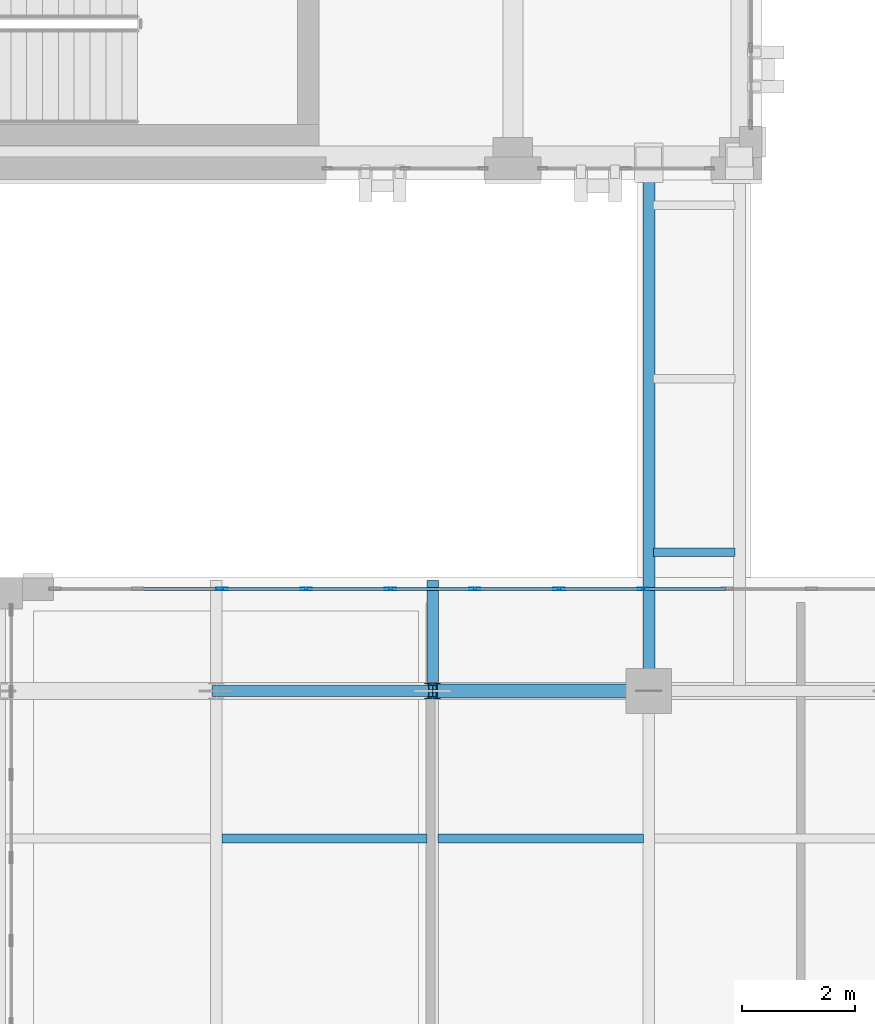
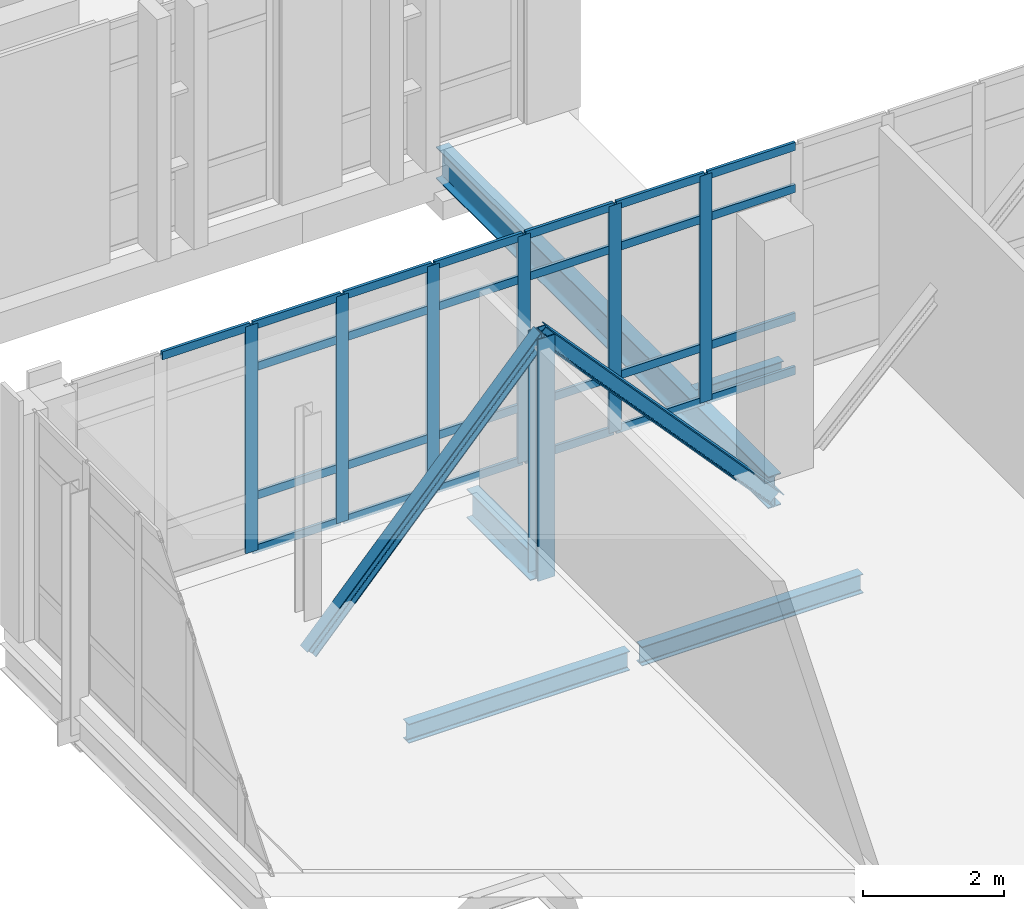
# One storey, part 10 of 158: 34 members, 5 beams, 1 element without a shape of its own.
"""IFC4 building model written with IfcOpenShell, lengths in metres."""

from ifc_helpers import new_model, si_unit, direction, frame, origin, origin_2d, place, context, subcontext, project, spatial, hollow_rectangle, i_section, extrude, material, layer, layer_set, material_profile, profile_set, type_object, element, aggregate, save


model = new_model("IFC4")

# Units and contexts
model_context = context("Model", 3, precision=1e-05, world=origin(), true_north=direction((0.0, 1.0)))
body_context = subcontext(model_context, "Body", "Model", "MODEL_VIEW")
ifc_project = project(units=[si_unit("LENGTHUNIT", "METRE"), si_unit("AREAUNIT", "SQUARE_METRE"), si_unit("VOLUMEUNIT", "CUBIC_METRE"), si_unit("PLANEANGLEUNIT", "RADIAN"), si_unit("MASSUNIT", "GRAM", prefix="KILO")], contexts=[model_context])

# Site, building, storey
site_placement = place(None, origin())
site = spatial("IfcSite", under=ifc_project, at=site_placement, CompositionType="ELEMENT")
building_placement = place(site_placement, origin())
building = spatial("IfcBuilding", under=site, at=building_placement, Name="Qalavern Law Courts", CompositionType="ELEMENT")
storey_placement = place(building_placement, frame((0.0, 0.0, 18.60009765625)))
storey = spatial("IfcBuildingStorey", under=building, at=storey_placement, Name="L04", CompositionType="ELEMENT", Elevation=18.60009765625)

# Curtain wall, members
ifc_material_1 = material(Name="Anodised aluminium and insulated glazing", Category="aluminium")
ifc_layer = layer(ifc_material_1, 0.199951171875)
ifc_layer_set = layer_set([ifc_layer], Name="Anodised aluminium and insulated glazing")
curtain_wall_type = type_object("IfcCurtainWallType", Name="ENV-CW-FOYER", PredefinedType="USERDEFINED", material=ifc_layer_set)
curtain_wall_placement = place(storey_placement, origin())
curtain_wall = element("IfcCurtainWall", 1, at=curtain_wall_placement, inside=storey, type_object=curtain_wall_type, Name="V1 unitised curtain wall L04 north 1", ObjectType="UNITISED CURTAIN WALL", PredefinedType="USERDEFINED")
ifc_material_2 = material(Name="Anodised aluminium", Category="aluminium")
ifc_material_profile_1 = material_profile(ifc_material_2, hollow_rectangle(XDim=0.048095703125, YDim=0.199951171875, WallThickness=0.00439453125, at=origin_2d()), Name="ALU MULLION 48x200")
ifc_profile_set_1 = profile_set([ifc_material_profile_1], Name="Anodised aluminium")
member_type_1 = type_object("IfcMemberType", Name="ENV-CWM-48x200", PredefinedType="MULLION", material=ifc_profile_set_1)
member_1_placement = place(storey_placement, frame((16.70166015625, 33.800048828125, 0.0), z_axis=(0.0, 0.0, 1.0), x_axis=(0.0, -1.0, 0.0)))
member_1 = element("IfcMember", 2, at=member_1_placement, type_object=member_type_1, Name="CW-01 mullion 12", PredefinedType="MULLION", context=body_context, shape_type="SweptSolid", body=[
    extrude(hollow_rectangle(XDim=0.048095703125, YDim=0.199951171875, WallThickness=0.00439453125, at=origin_2d()), origin(), (0.0, 0.0, 1.0), 3.9248046875),
])
member_2_placement = place(storey_placement, frame((15.215087890625, 33.800048828125, 0.0), z_axis=(0.0, 0.0, 1.0), x_axis=(0.0, -1.0, 0.0)))
member_2 = element("IfcMember", 3, at=member_2_placement, type_object=member_type_1, Name="CW-01 mullion 13", PredefinedType="MULLION", context=body_context, shape_type="SweptSolid", body=[
    extrude(hollow_rectangle(XDim=0.048095703125, YDim=0.199951171875, WallThickness=0.00439453125, at=origin_2d()), origin(), (0.0, 0.0, 1.0), 3.9248046875),
])
member_3_placement = place(storey_placement, frame((13.728271484375, 33.800048828125, 0.0), z_axis=(0.0, 0.0, 1.0), x_axis=(0.0, -1.0, 0.0)))
member_3 = element("IfcMember", 4, at=member_3_placement, type_object=member_type_1, Name="CW-01 mullion 14", PredefinedType="MULLION", context=body_context, shape_type="SweptSolid", body=[
    extrude(hollow_rectangle(XDim=0.048095703125, YDim=0.199951171875, WallThickness=0.00439453125, at=origin_2d()), origin(), (0.0, 0.0, 1.0), 3.9248046875),
])
member_4_placement = place(storey_placement, frame((12.24169921875, 33.800048828125, 0.0), z_axis=(0.0, 0.0, 1.0), x_axis=(0.0, -1.0, 0.0)))
member_4 = element("IfcMember", 5, at=member_4_placement, type_object=member_type_1, Name="CW-01 mullion 15", PredefinedType="MULLION", context=body_context, shape_type="SweptSolid", body=[
    extrude(hollow_rectangle(XDim=0.048095703125, YDim=0.199951171875, WallThickness=0.00439453125, at=origin_2d()), origin(), (0.0, 0.0, 1.0), 3.9248046875),
])
member_5_placement = place(storey_placement, frame((10.7548828125, 33.800048828125, 0.0), z_axis=(0.0, 0.0, 1.0), x_axis=(0.0, -1.0, 0.0)))
member_5 = element("IfcMember", 6, at=member_5_placement, type_object=member_type_1, Name="CW-01 mullion 16", PredefinedType="MULLION", context=body_context, shape_type="SweptSolid", body=[
    extrude(hollow_rectangle(XDim=0.048095703125, YDim=0.199951171875, WallThickness=0.00439453125, at=origin_2d()), origin(), (0.0, 0.0, 1.0), 3.9248046875),
])
member_6_placement = place(storey_placement, frame((9.268310546875, 33.800048828125, 0.0), z_axis=(0.0, 0.0, 1.0), x_axis=(0.0, -1.0, 0.0)))
member_6 = element("IfcMember", 7, at=member_6_placement, type_object=member_type_1, Name="CW-01 mullion 17", PredefinedType="MULLION", context=body_context, shape_type="SweptSolid", body=[
    extrude(hollow_rectangle(XDim=0.048095703125, YDim=0.199951171875, WallThickness=0.00439453125, at=origin_2d()), origin(), (0.0, 0.0, 1.0), 3.9248046875),
])
ifc_material_profile_2 = material_profile(ifc_material_2, hollow_rectangle(XDim=0.048095703125, YDim=0.139892578125, WallThickness=0.00390625, at=origin_2d()), Name="ALU TRANSOM 48x140")
ifc_profile_set_2 = profile_set([ifc_material_profile_2], Name="Anodised aluminium")
member_type_2 = type_object("IfcMemberType", Name="ENV-CWT-48x140", PredefinedType="USERDEFINED", material=ifc_profile_set_2)
member_7_placement = place(storey_placement, frame((18.164306640625, 33.800048828125, 0.02392578125), z_axis=(-1.0, 0.0, 0.0), x_axis=(0.0, -1.0, 0.0)))
member_7 = element("IfcMember", 8, at=member_7_placement, type_object=member_type_2, Name="CW-01 transom 11.1", ObjectType="TRANSOM", PredefinedType="USERDEFINED", context=body_context, shape_type="SweptSolid", body=[
    extrude(hollow_rectangle(XDim=0.048095703125, YDim=0.139892578125, WallThickness=0.00390625, at=origin_2d()), origin(), (0.0, 0.0, 1.0), 1.438720703125),
])
member_8_placement = place(storey_placement, frame((18.164306640625, 33.800048828125, 0.949951171875), z_axis=(-1.0, 0.0, 0.0), x_axis=(0.0, -1.0, 0.0)))
member_8 = element("IfcMember", 9, at=member_8_placement, type_object=member_type_2, Name="CW-01 transom 11.2", ObjectType="TRANSOM", PredefinedType="USERDEFINED", context=body_context, shape_type="SweptSolid", body=[
    extrude(hollow_rectangle(XDim=0.048095703125, YDim=0.139892578125, WallThickness=0.00390625, at=origin_2d()), origin(), (0.0, 0.0, 1.0), 1.438720703125),
])
member_9_placement = place(storey_placement, frame((18.164306640625, 33.800048828125, 3.1748046875), z_axis=(-1.0, 0.0, 0.0), x_axis=(0.0, -1.0, 0.0)))
member_9 = element("IfcMember", 10, at=member_9_placement, type_object=member_type_2, Name="CW-01 transom 11.3", ObjectType="TRANSOM", PredefinedType="USERDEFINED", context=body_context, shape_type="SweptSolid", body=[
    extrude(hollow_rectangle(XDim=0.048095703125, YDim=0.139892578125, WallThickness=0.00390625, at=origin_2d()), origin(), (0.0, 0.0, 1.0), 1.438720703125),
])
member_10_placement = place(storey_placement, frame((18.164306640625, 33.800048828125, 3.90087890625), z_axis=(-1.0, 0.0, 0.0), x_axis=(0.0, -1.0, 0.0)))
member_10 = element("IfcMember", 11, at=member_10_placement, type_object=member_type_2, Name="CW-01 transom 11.4", ObjectType="TRANSOM", PredefinedType="USERDEFINED", context=body_context, shape_type="SweptSolid", body=[
    extrude(hollow_rectangle(XDim=0.048095703125, YDim=0.139892578125, WallThickness=0.00390625, at=origin_2d()), origin(), (0.0, 0.0, 1.0), 1.438720703125),
])
member_11_placement = place(storey_placement, frame((16.677734375, 33.800048828125, 0.02392578125), z_axis=(-1.0, 0.0, 0.0), x_axis=(0.0, -1.0, 0.0)))
member_11 = element("IfcMember", 12, at=member_11_placement, type_object=member_type_2, Name="CW-01 transom 12.1", ObjectType="TRANSOM", PredefinedType="USERDEFINED", context=body_context, shape_type="SweptSolid", body=[
    extrude(hollow_rectangle(XDim=0.048095703125, YDim=0.139892578125, WallThickness=0.00390625, at=origin_2d()), origin(), (0.0, 0.0, 1.0), 1.438720703125),
])
member_12_placement = place(storey_placement, frame((16.677734375, 33.800048828125, 0.949951171875), z_axis=(-1.0, 0.0, 0.0), x_axis=(0.0, -1.0, 0.0)))
member_12 = element("IfcMember", 13, at=member_12_placement, type_object=member_type_2, Name="CW-01 transom 12.2", ObjectType="TRANSOM", PredefinedType="USERDEFINED", context=body_context, shape_type="SweptSolid", body=[
    extrude(hollow_rectangle(XDim=0.048095703125, YDim=0.139892578125, WallThickness=0.00390625, at=origin_2d()), origin(), (0.0, 0.0, 1.0), 1.438720703125),
])
member_13_placement = place(storey_placement, frame((16.677734375, 33.800048828125, 3.1748046875), z_axis=(-1.0, 0.0, 0.0), x_axis=(0.0, -1.0, 0.0)))
member_13 = element("IfcMember", 14, at=member_13_placement, type_object=member_type_2, Name="CW-01 transom 12.3", ObjectType="TRANSOM", PredefinedType="USERDEFINED", context=body_context, shape_type="SweptSolid", body=[
    extrude(hollow_rectangle(XDim=0.048095703125, YDim=0.139892578125, WallThickness=0.00390625, at=origin_2d()), origin(), (0.0, 0.0, 1.0), 1.438720703125),
])
member_14_placement = place(storey_placement, frame((16.677734375, 33.800048828125, 3.90087890625), z_axis=(-1.0, 0.0, 0.0), x_axis=(0.0, -1.0, 0.0)))
member_14 = element("IfcMember", 15, at=member_14_placement, type_object=member_type_2, Name="CW-01 transom 12.4", ObjectType="TRANSOM", PredefinedType="USERDEFINED", context=body_context, shape_type="SweptSolid", body=[
    extrude(hollow_rectangle(XDim=0.048095703125, YDim=0.139892578125, WallThickness=0.00390625, at=origin_2d()), origin(), (0.0, 0.0, 1.0), 1.438720703125),
])
member_15_placement = place(storey_placement, frame((15.19091796875, 33.800048828125, 0.02392578125), z_axis=(-1.0, 0.0, 0.0), x_axis=(0.0, -1.0, 0.0)))
member_15 = element("IfcMember", 16, at=member_15_placement, type_object=member_type_2, Name="CW-01 transom 13.1", ObjectType="TRANSOM", PredefinedType="USERDEFINED", context=body_context, shape_type="SweptSolid", body=[
    extrude(hollow_rectangle(XDim=0.048095703125, YDim=0.139892578125, WallThickness=0.00390625, at=origin_2d()), origin(), (0.0, 0.0, 1.0), 1.4384765625),
])
member_16_placement = place(storey_placement, frame((15.19091796875, 33.800048828125, 0.949951171875), z_axis=(-1.0, 0.0, 0.0), x_axis=(0.0, -1.0, 0.0)))
member_16 = element("IfcMember", 17, at=member_16_placement, type_object=member_type_2, Name="CW-01 transom 13.2", ObjectType="TRANSOM", PredefinedType="USERDEFINED", context=body_context, shape_type="SweptSolid", body=[
    extrude(hollow_rectangle(XDim=0.048095703125, YDim=0.139892578125, WallThickness=0.00390625, at=origin_2d()), origin(), (0.0, 0.0, 1.0), 1.4384765625),
])
member_17_placement = place(storey_placement, frame((15.19091796875, 33.800048828125, 3.1748046875), z_axis=(-1.0, 0.0, 0.0), x_axis=(0.0, -1.0, 0.0)))
member_17 = element("IfcMember", 18, at=member_17_placement, type_object=member_type_2, Name="CW-01 transom 13.3", ObjectType="TRANSOM", PredefinedType="USERDEFINED", context=body_context, shape_type="SweptSolid", body=[
    extrude(hollow_rectangle(XDim=0.048095703125, YDim=0.139892578125, WallThickness=0.00390625, at=origin_2d()), origin(), (0.0, 0.0, 1.0), 1.4384765625),
])
member_18_placement = place(storey_placement, frame((15.19091796875, 33.800048828125, 3.90087890625), z_axis=(-1.0, 0.0, 0.0), x_axis=(0.0, -1.0, 0.0)))
member_18 = element("IfcMember", 19, at=member_18_placement, type_object=member_type_2, Name="CW-01 transom 13.4", ObjectType="TRANSOM", PredefinedType="USERDEFINED", context=body_context, shape_type="SweptSolid", body=[
    extrude(hollow_rectangle(XDim=0.048095703125, YDim=0.139892578125, WallThickness=0.00390625, at=origin_2d()), origin(), (0.0, 0.0, 1.0), 1.4384765625),
])
member_19_placement = place(storey_placement, frame((13.704345703125, 33.800048828125, 0.02392578125), z_axis=(-1.0, 0.0, 0.0), x_axis=(0.0, -1.0, 0.0)))
member_19 = element("IfcMember", 20, at=member_19_placement, type_object=member_type_2, Name="CW-01 transom 14.1", ObjectType="TRANSOM", PredefinedType="USERDEFINED", context=body_context, shape_type="SweptSolid", body=[
    extrude(hollow_rectangle(XDim=0.048095703125, YDim=0.139892578125, WallThickness=0.00390625, at=origin_2d()), origin(), (0.0, 0.0, 1.0), 1.438720703125),
])
member_20_placement = place(storey_placement, frame((13.704345703125, 33.800048828125, 0.949951171875), z_axis=(-1.0, 0.0, 0.0), x_axis=(0.0, -1.0, 0.0)))
member_20 = element("IfcMember", 21, at=member_20_placement, type_object=member_type_2, Name="CW-01 transom 14.2", ObjectType="TRANSOM", PredefinedType="USERDEFINED", context=body_context, shape_type="SweptSolid", body=[
    extrude(hollow_rectangle(XDim=0.048095703125, YDim=0.139892578125, WallThickness=0.00390625, at=origin_2d()), origin(), (0.0, 0.0, 1.0), 1.438720703125),
])
member_21_placement = place(storey_placement, frame((13.704345703125, 33.800048828125, 3.1748046875), z_axis=(-1.0, 0.0, 0.0), x_axis=(0.0, -1.0, 0.0)))
member_21 = element("IfcMember", 22, at=member_21_placement, type_object=member_type_2, Name="CW-01 transom 14.3", ObjectType="TRANSOM", PredefinedType="USERDEFINED", context=body_context, shape_type="SweptSolid", body=[
    extrude(hollow_rectangle(XDim=0.048095703125, YDim=0.139892578125, WallThickness=0.00390625, at=origin_2d()), origin(), (0.0, 0.0, 1.0), 1.438720703125),
])
member_22_placement = place(storey_placement, frame((13.704345703125, 33.800048828125, 3.90087890625), z_axis=(-1.0, 0.0, 0.0), x_axis=(0.0, -1.0, 0.0)))
member_22 = element("IfcMember", 23, at=member_22_placement, type_object=member_type_2, Name="CW-01 transom 14.4", ObjectType="TRANSOM", PredefinedType="USERDEFINED", context=body_context, shape_type="SweptSolid", body=[
    extrude(hollow_rectangle(XDim=0.048095703125, YDim=0.139892578125, WallThickness=0.00390625, at=origin_2d()), origin(), (0.0, 0.0, 1.0), 1.438720703125),
])
member_23_placement = place(storey_placement, frame((12.2177734375, 33.800048828125, 0.02392578125), z_axis=(-1.0, 0.0, 0.0), x_axis=(0.0, -1.0, 0.0)))
member_23 = element("IfcMember", 24, at=member_23_placement, type_object=member_type_2, Name="CW-01 transom 15.1", ObjectType="TRANSOM", PredefinedType="USERDEFINED", context=body_context, shape_type="SweptSolid", body=[
    extrude(hollow_rectangle(XDim=0.048095703125, YDim=0.139892578125, WallThickness=0.00390625, at=origin_2d()), origin(), (0.0, 0.0, 1.0), 1.438720703125),
])
member_24_placement = place(storey_placement, frame((12.2177734375, 33.800048828125, 0.949951171875), z_axis=(-1.0, 0.0, 0.0), x_axis=(0.0, -1.0, 0.0)))
member_24 = element("IfcMember", 25, at=member_24_placement, type_object=member_type_2, Name="CW-01 transom 15.2", ObjectType="TRANSOM", PredefinedType="USERDEFINED", context=body_context, shape_type="SweptSolid", body=[
    extrude(hollow_rectangle(XDim=0.048095703125, YDim=0.139892578125, WallThickness=0.00390625, at=origin_2d()), origin(), (0.0, 0.0, 1.0), 1.438720703125),
])
member_25_placement = place(storey_placement, frame((12.2177734375, 33.800048828125, 3.1748046875), z_axis=(-1.0, 0.0, 0.0), x_axis=(0.0, -1.0, 0.0)))
member_25 = element("IfcMember", 26, at=member_25_placement, type_object=member_type_2, Name="CW-01 transom 15.3", ObjectType="TRANSOM", PredefinedType="USERDEFINED", context=body_context, shape_type="SweptSolid", body=[
    extrude(hollow_rectangle(XDim=0.048095703125, YDim=0.139892578125, WallThickness=0.00390625, at=origin_2d()), origin(), (0.0, 0.0, 1.0), 1.438720703125),
])
member_26_placement = place(storey_placement, frame((12.2177734375, 33.800048828125, 3.90087890625), z_axis=(-1.0, 0.0, 0.0), x_axis=(0.0, -1.0, 0.0)))
member_26 = element("IfcMember", 27, at=member_26_placement, type_object=member_type_2, Name="CW-01 transom 15.4", ObjectType="TRANSOM", PredefinedType="USERDEFINED", context=body_context, shape_type="SweptSolid", body=[
    extrude(hollow_rectangle(XDim=0.048095703125, YDim=0.139892578125, WallThickness=0.00390625, at=origin_2d()), origin(), (0.0, 0.0, 1.0), 1.438720703125),
])
member_27_placement = place(storey_placement, frame((10.73095703125, 33.800048828125, 0.02392578125), z_axis=(-1.0, 0.0, 0.0), x_axis=(0.0, -1.0, 0.0)))
member_27 = element("IfcMember", 28, at=member_27_placement, type_object=member_type_2, Name="CW-01 transom 16.1", ObjectType="TRANSOM", PredefinedType="USERDEFINED", context=body_context, shape_type="SweptSolid", body=[
    extrude(hollow_rectangle(XDim=0.048095703125, YDim=0.139892578125, WallThickness=0.00390625, at=origin_2d()), origin(), (0.0, 0.0, 1.0), 1.438720703125),
])
member_28_placement = place(storey_placement, frame((10.73095703125, 33.800048828125, 0.949951171875), z_axis=(-1.0, 0.0, 0.0), x_axis=(0.0, -1.0, 0.0)))
member_28 = element("IfcMember", 29, at=member_28_placement, type_object=member_type_2, Name="CW-01 transom 16.2", ObjectType="TRANSOM", PredefinedType="USERDEFINED", context=body_context, shape_type="SweptSolid", body=[
    extrude(hollow_rectangle(XDim=0.048095703125, YDim=0.139892578125, WallThickness=0.00390625, at=origin_2d()), origin(), (0.0, 0.0, 1.0), 1.438720703125),
])
member_29_placement = place(storey_placement, frame((10.73095703125, 33.800048828125, 3.1748046875), z_axis=(-1.0, 0.0, 0.0), x_axis=(0.0, -1.0, 0.0)))
member_29 = element("IfcMember", 30, at=member_29_placement, type_object=member_type_2, Name="CW-01 transom 16.3", ObjectType="TRANSOM", PredefinedType="USERDEFINED", context=body_context, shape_type="SweptSolid", body=[
    extrude(hollow_rectangle(XDim=0.048095703125, YDim=0.139892578125, WallThickness=0.00390625, at=origin_2d()), origin(), (0.0, 0.0, 1.0), 1.438720703125),
])
member_30_placement = place(storey_placement, frame((10.73095703125, 33.800048828125, 3.90087890625), z_axis=(-1.0, 0.0, 0.0), x_axis=(0.0, -1.0, 0.0)))
member_30 = element("IfcMember", 31, at=member_30_placement, type_object=member_type_2, Name="CW-01 transom 16.4", ObjectType="TRANSOM", PredefinedType="USERDEFINED", context=body_context, shape_type="SweptSolid", body=[
    extrude(hollow_rectangle(XDim=0.048095703125, YDim=0.139892578125, WallThickness=0.00390625, at=origin_2d()), origin(), (0.0, 0.0, 1.0), 1.438720703125),
])
member_31_placement = place(storey_placement, frame((9.244384765625, 33.800048828125, 3.90087890625), z_axis=(-1.0, 0.0, 0.0), x_axis=(0.0, -1.0, 0.0)))
member_31 = element("IfcMember", 32, at=member_31_placement, type_object=member_type_2, Name="CW-01 transom 17.4", ObjectType="TRANSOM", PredefinedType="USERDEFINED", context=body_context, shape_type="SweptSolid", body=[
    extrude(hollow_rectangle(XDim=0.048095703125, YDim=0.139892578125, WallThickness=0.00390625, at=origin_2d()), origin(), (0.0, 0.0, 1.0), 1.438720703125),
])
aggregate(curtain_wall, [member_1, member_2, member_3, member_4, member_5, member_6, member_7, member_8, member_9, member_10, member_11, member_12, member_13, member_14, member_15, member_16, member_17, member_18, member_19, member_20, member_21, member_22, member_23, member_24, member_25, member_26, member_27, member_28, member_29, member_30, member_31])

# Beams
ifc_material_3 = material(Name="Steel S355", Category="steel")
ifc_material_profile_3 = material_profile(ifc_material_3, i_section(OverallWidth=0.199951171875, OverallDepth=0.5, WebThickness=0.01025390625, FlangeThickness=0.01611328125, FilletRadius=0.02099609375, at=origin_2d()), Name="IPE 500")
ifc_profile_set_3 = profile_set([ifc_material_profile_3], Name="Steel S355")
beam_type_1 = type_object("IfcBeamType", Name="STR-BM-IPE500", PredefinedType="BEAM", material=ifc_profile_set_3)
beam_1_placement = place(storey_placement, frame((12.9833984375, 32.14794921875, -0.530029296875), z_axis=(0.0, 1.0, 0.0), x_axis=(-1.0, 0.0, 0.0)))
element("IfcBeam", 33, at=beam_1_placement, inside=storey, type_object=beam_type_1, Name="Foyer transverse beam L04-6.4", PredefinedType="BEAM", context=body_context, shape_type="SweptSolid", body=[
    extrude(i_section(OverallWidth=0.199951171875, OverallDepth=0.5, WebThickness=0.01025390625, FlangeThickness=0.01611328125, FilletRadius=0.02099609375, at=origin_2d()), origin(), (0.0, 0.0, 1.0), 1.802001953125),
])
ifc_material_profile_4 = material_profile(ifc_material_3, i_section(OverallWidth=0.2099609375, OverallDepth=0.550048828125, WebThickness=0.010986328125, FlangeThickness=0.01708984375, FilletRadius=0.02392578125, at=origin_2d()), Name="IPE 550")
ifc_profile_set_4 = profile_set([ifc_material_profile_4], Name="Steel S355")
beam_type_2 = type_object("IfcBeamType", Name="STR-BM-IPE550", PredefinedType="BEAM", material=ifc_profile_set_4)
beam_2_placement = place(storey_placement, frame((16.800048828125, 32.0, -0.503173828125), z_axis=(0.0, 1.0, 0.0), x_axis=(-1.0, 0.0, 0.0)))
element("IfcBeam", 34, at=beam_2_placement, inside=storey, type_object=beam_type_2, Name="Bridge BR-V1-V3 edge girder 1 L04", PredefinedType="BEAM", context=body_context, shape_type="SweptSolid", body=[
    extrude(i_section(OverallWidth=0.2099609375, OverallDepth=0.550048828125, WebThickness=0.010986328125, FlangeThickness=0.01708984375, FilletRadius=0.02392578125, at=origin_2d()), origin(), (0.0, 0.0, 1.0), 9.419921875),
])

# Members
ifc_material_profile_5 = material_profile(ifc_material_3, i_section(OverallWidth=0.199951171875, OverallDepth=0.199951171875, WebThickness=0.009033203125, FlangeThickness=0.014892578125, FilletRadius=0.01806640625, at=origin_2d()), Name="HEB 200")
ifc_profile_set_5 = profile_set([ifc_material_profile_5], Name="Steel S355")
member_type_3 = type_object("IfcMemberType", Name="STR-BR-HEB200", PredefinedType="BRACE", material=ifc_profile_set_5)
member_32_placement = place(storey_placement, frame((12.9833984375, 32.0, 3.578857421875), z_axis=(-0.673944237707, 0.0, -0.738782217207), x_axis=(0.0, -1.0, 0.0)))
element("IfcMember", 35, at=member_32_placement, inside=storey, type_object=member_type_3, Name="Cantilever truss T3 diagonal L04-6", PredefinedType="BRACE", context=body_context, shape_type="SweptSolid", body=[
    extrude(i_section(OverallWidth=0.199951171875, OverallDepth=0.199951171875, WebThickness=0.009033203125, FlangeThickness=0.014892578125, FilletRadius=0.01806640625, at=origin_2d()), origin(), (0.0, 0.0, 1.0), 5.6630859375),
])
ifc_material_profile_6 = material_profile(ifc_material_3, i_section(OverallWidth=0.239990234375, OverallDepth=0.239990234375, WebThickness=0.010009765625, FlangeThickness=0.01708984375, FilletRadius=0.02099609375, at=origin_2d()), Name="HEB 240")
ifc_profile_set_6 = profile_set([ifc_material_profile_6], Name="Steel S355")
member_type_4 = type_object("IfcMemberType", Name="STR-BR-HEB240", PredefinedType="BRACE", material=ifc_profile_set_6)
member_33_placement = place(storey_placement, frame((16.800048828125, 32.0, -0.60498046875), z_axis=(-0.673944237707, 0.0, 0.738782217207), x_axis=(0.0, -1.0, 0.0)))
element("IfcMember", 36, at=member_33_placement, inside=storey, type_object=member_type_4, Name="Cantilever truss T3 diagonal L04-5", PredefinedType="BRACE", context=body_context, shape_type="SweptSolid", body=[
    extrude(i_section(OverallWidth=0.239990234375, OverallDepth=0.239990234375, WebThickness=0.010009765625, FlangeThickness=0.01708984375, FilletRadius=0.02099609375, at=origin_2d()), origin(), (0.0, 0.0, 1.0), 5.6630859375),
])

# Beams
ifc_material_profile_7 = material_profile(ifc_material_3, i_section(OverallWidth=0.14990234375, OverallDepth=0.300048828125, WebThickness=0.007080078125, FlangeThickness=0.0107421875, FilletRadius=0.014892578125, at=origin_2d()), Name="IPE 300")
ifc_profile_set_7 = profile_set([ifc_material_profile_7], Name="Steel S355")
beam_type_3 = type_object("IfcBeamType", Name="STR-JST-IPE300", PredefinedType="JOIST", material=ifc_profile_set_7)
beam_3_placement = place(storey_placement, frame((16.8798828125, 34.449951171875, -0.378173828125), z_axis=(1.0, 0.0, 0.0), x_axis=(0.0, 1.0, 0.0)))
element("IfcBeam", 37, at=beam_3_placement, inside=storey, type_object=beam_type_3, Name="Bridge BR-V1-V3 cross beam 1 L04", PredefinedType="JOIST", context=body_context, shape_type="SweptSolid", body=[
    extrude(i_section(OverallWidth=0.14990234375, OverallDepth=0.300048828125, WebThickness=0.007080078125, FlangeThickness=0.0107421875, FilletRadius=0.014892578125, at=origin_2d()), origin(), (0.0, 0.0, 1.0), 1.440185546875),
])
ifc_material_profile_8 = material_profile(ifc_material_3, i_section(OverallWidth=0.159912109375, OverallDepth=0.330078125, WebThickness=0.007568359375, FlangeThickness=0.011474609375, FilletRadius=0.01806640625, at=origin_2d()), Name="IPE 330")
ifc_profile_set_8 = profile_set([ifc_material_profile_8], Name="Steel S355")
beam_type_4 = type_object("IfcBeamType", Name="STR-JST-IPE330", PredefinedType="JOIST", material=ifc_profile_set_8)
for number, where, z_axis, x_axis, name in (
    (38, (13.081298828125, 29.39990234375, -0.445068359375), (1.0, 0.0, 0.0), (0.0, 1.0, 0.0), "Foyer floor joist L04-5.4"),
    (39, (9.2646484375, 29.39990234375, -0.445068359375), (1.0, 0.0, 0.0), (0.0, 1.0, 0.0), "Foyer floor joist L04-6.4"),
):
    element("IfcBeam", number, at=place(storey_placement, frame(where, z_axis=z_axis, x_axis=x_axis)), inside=storey, type_object=beam_type_4, Name=name, PredefinedType="JOIST", context=body_context, shape_type="SweptSolid", body=[
        extrude(i_section(OverallWidth=0.159912109375, OverallDepth=0.330078125, WebThickness=0.007568359375, FlangeThickness=0.011474609375, FilletRadius=0.01806640625, at=origin_2d()), origin(), (0.0, 0.0, 1.0), 3.62060546875),
    ])

# Member
ifc_material_profile_9 = material_profile(ifc_material_3, i_section(OverallWidth=0.280029296875, OverallDepth=0.280029296875, WebThickness=0.010498046875, FlangeThickness=0.01806640625, FilletRadius=0.02392578125, at=origin_2d()), Name="HEB 280")
ifc_profile_set_9 = profile_set([ifc_material_profile_9], Name="Steel S355")
member_type_5 = type_object("IfcMemberType", Name="STR-POST-HEB280", PredefinedType="POST", material=ifc_profile_set_9)
member_34_placement = place(storey_placement, frame((12.9833984375, 32.0, -0.60498046875), z_axis=(0.0, 0.0, 1.0), x_axis=(1.0, 0.0, 0.0)))
element("IfcMember", 40, at=member_34_placement, inside=storey, type_object=member_type_5, Name="Cantilever truss T3 post L04-1", PredefinedType="POST", context=body_context, shape_type="SweptSolid", body=[
    extrude(i_section(OverallWidth=0.280029296875, OverallDepth=0.280029296875, WebThickness=0.010498046875, FlangeThickness=0.01806640625, FilletRadius=0.02392578125, at=origin_2d()), origin(), (0.0, 0.0, 1.0), 4.183837890625),
])

save(model, "model.ifc")
